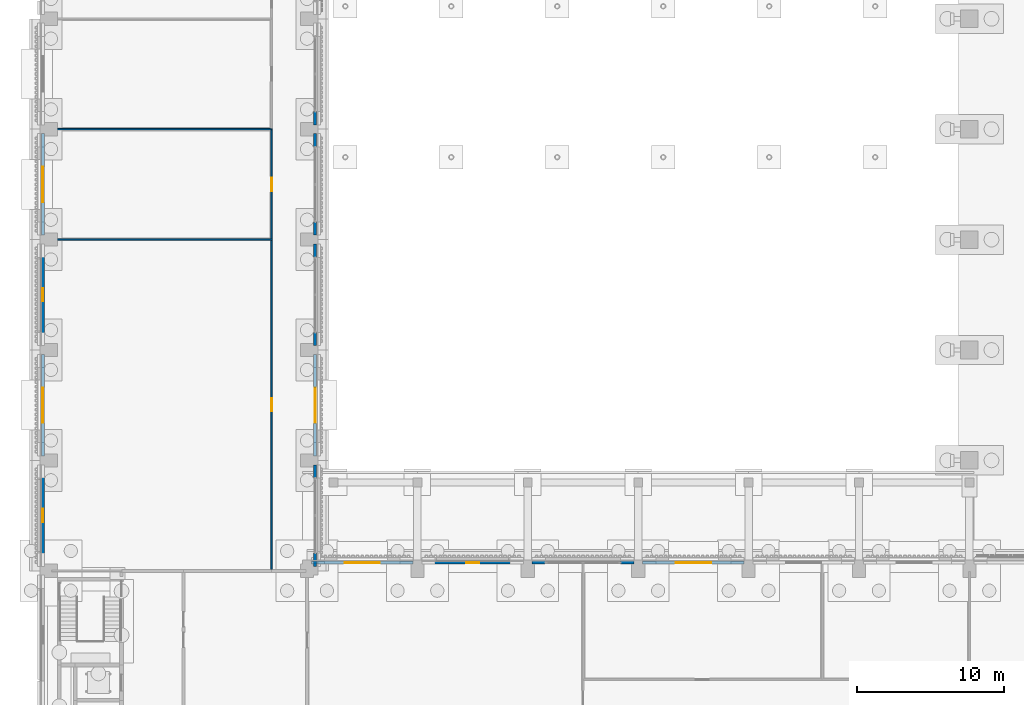
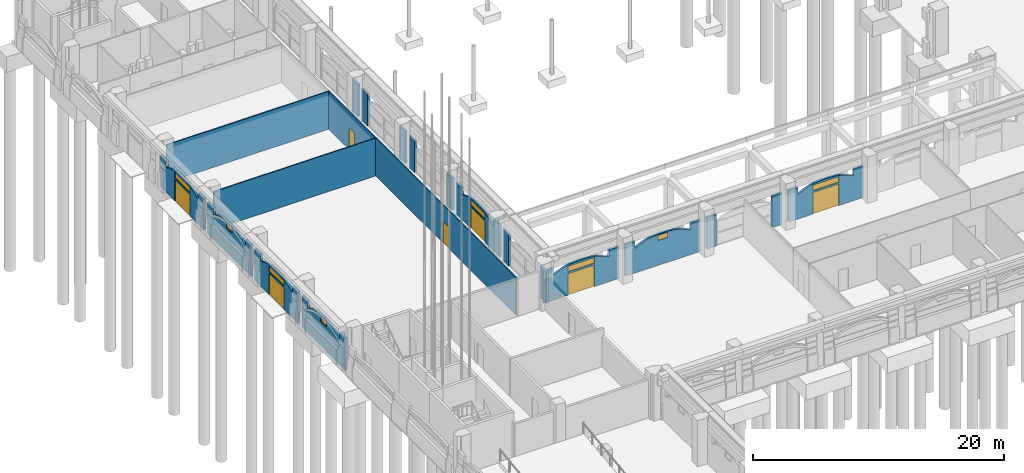
# One storey, part 37 of 99: 21 walls, 8 windows, 7 doors, 15 openings.
"""IFC4 building model written with IfcOpenShell, lengths in metres."""

from ifc_helpers import new_model, si_unit, direction, frame, frame_2d, origin, place, context, subcontext, project, spatial, polyline, rectangle, outline, extrude, material, layer, layer_set, type_object, element, fill, save


model = new_model("IFC4")

# Units and contexts
model_context = context("Model", 3, precision=1e-05, world=origin(), true_north=direction((0.0, 1.0)))
body_context = subcontext(model_context, "Body", "Model", "MODEL_VIEW")
ifc_project = project(units=[si_unit("LENGTHUNIT", "METRE"), si_unit("AREAUNIT", "SQUARE_METRE"), si_unit("VOLUMEUNIT", "CUBIC_METRE"), si_unit("PLANEANGLEUNIT", "RADIAN"), si_unit("MASSUNIT", "GRAM", prefix="KILO")], contexts=[model_context])

# Site, building, storey
site_placement = place(None, origin())
site = spatial("IfcSite", under=ifc_project, at=site_placement, CompositionType="ELEMENT")
building_placement = place(site_placement, origin())
building = spatial("IfcBuilding", under=site, at=building_placement, Name="Cour d'Honneur Mobility Palace", CompositionType="ELEMENT")
storey_placement = place(building_placement, origin())
storey = spatial("IfcBuildingStorey", under=building, at=storey_placement, Name="L00", CompositionType="ELEMENT", Elevation=0.0)

# Wall, openings, door, window
ifc_material_1 = material(Name="Concrete C40", Category="concrete")
ifc_layer_1 = layer(ifc_material_1, 0.199951171875)
ifc_layer_set_1 = layer_set([ifc_layer_1], Name="Concrete C40")
wall_type_1 = type_object("IfcWallType", Name="Arch infill panel", PredefinedType="SOLIDWALL", material=ifc_layer_set_1)
wall_1_placement = place(storey_placement, frame((47.10009765625, 62.949951171875, 0.0), z_axis=(0.0, 0.0, 1.0), x_axis=(-1.0, 0.0, 0.0)))
wall_1 = element("IfcWall", 1, at=wall_1_placement, inside=storey, type_object=wall_type_1, Name="Arch infill panel IP-77", PredefinedType="SOLIDWALL", context=body_context, shape_type="SweptSolid", body=[
    extrude(outline(polyline([(0.0, 0.0), (6.900146484375, 0.0), (6.89990234375, 3.10009765625), (6.001953125, 3.10009765625), (6.0, 2.39990234375), (5.68115234375, 2.560302734375), (5.362548828125, 2.69482421875), (5.043701171875, 2.805908203125), (4.72509765625, 2.895263671875), (4.40625, 2.96337890625), (4.08740234375, 3.01171875), (3.768798828125, 3.04052734375), (3.449951171875, 3.050048828125), (3.13134765625, 3.04052734375), (2.8125, 3.01171875), (2.49365234375, 2.96337890625), (2.175048828125, 2.895263671875), (1.856201171875, 2.805908203125), (1.53759765625, 2.69482421875), (1.21875, 2.560302734375), (0.89990234375, 2.39990234375), (0.89794921875, 3.10009765625), (0.0, 3.10009765625), (0.0, 0.0)])), frame((0.0, 0.10009765625, 0.0), z_axis=(0.0, -1.0, 0.0), x_axis=(1.0, 0.0, 0.0)), (0.0, 0.0, 1.0), 0.199951171875),
])
opening_1_placement = place(wall_1_placement, frame((2.25, 0.0, 0.0)))
opening_1 = element("IfcOpeningElement", 2, at=opening_1_placement, cuts=wall_1, Name="Opening D1-5", PredefinedType="OPENING", context=body_context, shape_type="SweptSolid", body=[
    extrude(rectangle(XDim=2.39990234375, YDim=2.10009765625, at=frame_2d((1.199951171875, 1.050048828125))), frame((0.0, 0.10986328125, 0.0), z_axis=(0.0, -1.0, 0.0), x_axis=(1.0, 0.0, 0.0)), (0.0, 0.0, 1.0), 0.219970703125),
])
opening_2_placement = place(wall_1_placement, frame((2.25, 0.0, 2.25)))
opening_2 = element("IfcOpeningElement", 3, at=opening_2_placement, cuts=wall_1, Name="Opening WO-10", PredefinedType="OPENING", context=body_context, shape_type="SweptSolid", body=[
    extrude(rectangle(XDim=2.39990234375, YDim=0.56298828125, at=frame_2d((1.199951171875, 0.281494140625))), frame((0.0, 0.10986328125, 0.0), z_axis=(0.0, -1.0, 0.0), x_axis=(1.0, 0.0, 0.0)), (0.0, 0.0, 1.0), 0.219970703125),
])
ifc_material_2 = material(Name="Aluminium frame and glass", Category="aluminium")
door_type_1 = type_object("IfcDoorType", Name="Entrance double door 2400", OperationType="DOUBLE_DOOR_SINGLE_SWING", PredefinedType="DOOR", material=ifc_material_2)
door_1_placement = place(opening_1_placement, frame((2.39990234375, 0.0, 0.0), z_axis=(0.0, 0.0, 1.0), x_axis=(-1.0, 0.0, 0.0)))
door_1 = element("IfcDoor", 4, at=door_1_placement, inside=storey, type_object=door_type_1, Name="Entrance double door 2400 D1-5", OperationType="SINGLE_SWING_LEFT", OverallHeight=2.10009765625, OverallWidth=2.39990234375, PredefinedType="DOOR", context=body_context, shape_type="SweptSolid", body=[
    extrude(rectangle(XDim=2.39990234375, YDim=2.10009765625, at=frame_2d((1.199951171875, 1.050048828125))), frame((0.0, 0.02490234375, 0.0), z_axis=(0.0, -1.0, 0.0), x_axis=(1.0, 0.0, 0.0)), (0.0, 0.0, 1.0), 0.050048828125),
])
fill(opening_1, door_1)
ifc_material_3 = material(Name="Aluminium frame and glass", Category="aluminium")
window_type_1 = type_object("IfcWindowType", Name="Overlight", PartitioningType="SINGLE_PANEL", PredefinedType="WINDOW", material=ifc_material_3)
window_1_placement = place(opening_2_placement, origin())
window_1 = element("IfcWindow", 5, at=window_1_placement, inside=storey, type_object=window_type_1, Name="Overlight WO-10", OverallHeight=0.56298828125, OverallWidth=2.39990234375, PartitioningType="SINGLE_PANEL", PredefinedType="WINDOW", context=body_context, shape_type="SweptSolid", body=[
    extrude(rectangle(XDim=2.39990234375, YDim=0.56298828125, at=frame_2d((1.199951171875, 0.281494140625))), frame((0.0, 0.030029296875, 0.0), z_axis=(0.0, -1.0, 0.0), x_axis=(1.0, 0.0, 0.0)), (0.0, 0.0, 1.0), 0.06005859375),
])
fill(opening_2, window_1)

# Walls
for number, where, z_axis, x_axis, name in (
    (6, (39.60009765625, 62.949951171875, 0.0), (0.0, 0.0, 1.0), (-1.0, 0.0, 0.0), "Arch infill panel IP-78"),
    (7, (33.60009765625, 62.949951171875, 0.0), (0.0, 0.0, 1.0), (-1.0, 0.0, 0.0), "Arch infill panel IP-79"),
):
    element("IfcWall", number, at=place(storey_placement, frame(where, z_axis=z_axis, x_axis=x_axis)), inside=storey, type_object=wall_type_1, Name=name, PredefinedType="SOLIDWALL", context=body_context, shape_type="SweptSolid", body=[
        extrude(rectangle(XDim=0.900146484375, YDim=0.199951171875, at=frame_2d((0.4501953125, 0.0))), origin(), (0.0, 0.0, 1.0), 3.10009765625),
    ])

# Wall, opening, window
wall_2_placement = place(storey_placement, frame((32.10009765625, 62.949951171875, 0.0), z_axis=(0.0, 0.0, 1.0), x_axis=(-1.0, 0.0, 0.0)))
wall_2 = element("IfcWall", 8, at=wall_2_placement, inside=storey, type_object=wall_type_1, Name="Arch infill panel IP-80", PredefinedType="SOLIDWALL", context=body_context, shape_type="SweptSolid", body=[
    extrude(outline(polyline([(0.0, 0.0), (6.900146484375, 0.0), (6.89990234375, 3.10009765625), (6.001953125, 3.10009765625), (6.0, 2.39990234375), (5.68115234375, 2.560302734375), (5.362548828125, 2.69482421875), (5.043701171875, 2.805908203125), (4.72509765625, 2.895263671875), (4.40625, 2.96337890625), (4.08740234375, 3.01171875), (3.768798828125, 3.04052734375), (3.449951171875, 3.050048828125), (3.13134765625, 3.04052734375), (2.8125, 3.01171875), (2.49365234375, 2.96337890625), (2.175048828125, 2.895263671875), (1.856201171875, 2.805908203125), (1.53759765625, 2.69482421875), (1.21875, 2.560302734375), (0.89990234375, 2.39990234375), (0.89794921875, 3.10009765625), (0.0, 3.10009765625), (0.0, 0.0)])), frame((0.0, 0.10009765625, 0.0), z_axis=(0.0, -1.0, 0.0), x_axis=(1.0, 0.0, 0.0)), (0.0, 0.0, 1.0), 0.199951171875),
])
opening_3_placement = place(wall_2_placement, frame((3.0, 0.0, 2.39990234375)))
opening_3 = element("IfcOpeningElement", 9, at=opening_3_placement, cuts=wall_2, Name="Opening WH-35", PredefinedType="OPENING", context=body_context, shape_type="SweptSolid", body=[
    extrude(rectangle(XDim=0.89990234375, YDim=0.531005859375, at=frame_2d((0.449951171875, 0.265625))), frame((0.0, 0.10986328125, 0.0), z_axis=(0.0, -1.0, 0.0), x_axis=(1.0, 0.0, 0.0)), (0.0, 0.0, 1.0), 0.219970703125),
])
ifc_material_4 = material(Name="Aluminium frame and glass", Category="aluminium")
window_type_2 = type_object("IfcWindowType", Name="High-level window 531", PartitioningType="SINGLE_PANEL", PredefinedType="WINDOW", material=ifc_material_4)
window_2_placement = place(opening_3_placement, origin())
window_2 = element("IfcWindow", 10, at=window_2_placement, inside=storey, type_object=window_type_2, Name="High-level window 531 WH-35", OverallHeight=0.531005859375, OverallWidth=0.89990234375, PartitioningType="SINGLE_PANEL", PredefinedType="WINDOW", context=body_context, shape_type="SweptSolid", body=[
    extrude(rectangle(XDim=0.89990234375, YDim=0.531005859375, at=frame_2d((0.449951171875, 0.265625))), frame((0.0, 0.030029296875, 0.0), z_axis=(0.0, -1.0, 0.0), x_axis=(1.0, 0.0, 0.0)), (0.0, 0.0, 1.0), 0.06005859375),
])
fill(opening_3, window_2)

# Wall, openings, door, window
wall_3_placement = place(storey_placement, frame((24.60009765625, 62.949951171875, 0.0), z_axis=(0.0, 0.0, 1.0), x_axis=(-1.0, 0.0, 0.0)))
wall_3 = element("IfcWall", 11, at=wall_3_placement, inside=storey, type_object=wall_type_1, Name="Arch infill panel IP-81", PredefinedType="SOLIDWALL", context=body_context, shape_type="SweptSolid", body=[
    extrude(outline(polyline([(0.0, 0.0), (6.900146484375, 0.0), (6.89990234375, 3.10009765625), (6.001953125, 3.10009765625), (6.0, 2.39990234375), (5.68115234375, 2.560302734375), (5.362548828125, 2.69482421875), (5.043701171875, 2.805908203125), (4.72509765625, 2.895263671875), (4.40625, 2.96337890625), (4.08740234375, 3.01171875), (3.768798828125, 3.04052734375), (3.449951171875, 3.050048828125), (3.13134765625, 3.04052734375), (2.8125, 3.01171875), (2.49365234375, 2.96337890625), (2.175048828125, 2.895263671875), (1.856201171875, 2.805908203125), (1.53759765625, 2.69482421875), (1.21875, 2.560302734375), (0.89990234375, 2.39990234375), (0.89794921875, 3.10009765625), (0.0, 3.10009765625), (0.0, 0.0)])), frame((0.0, 0.10009765625, 0.0), z_axis=(0.0, -1.0, 0.0), x_axis=(1.0, 0.0, 0.0)), (0.0, 0.0, 1.0), 0.199951171875),
])
opening_4_placement = place(wall_3_placement, frame((2.25, 0.0, 0.0)))
opening_4 = element("IfcOpeningElement", 12, at=opening_4_placement, cuts=wall_3, Name="Opening D1-6", PredefinedType="OPENING", context=body_context, shape_type="SweptSolid", body=[
    extrude(rectangle(XDim=2.39990234375, YDim=2.10009765625, at=frame_2d((1.199951171875, 1.050048828125))), frame((0.0, 0.10986328125, 0.0), z_axis=(0.0, -1.0, 0.0), x_axis=(1.0, 0.0, 0.0)), (0.0, 0.0, 1.0), 0.219970703125),
])
opening_5_placement = place(wall_3_placement, frame((2.25, 0.0, 2.25)))
opening_5 = element("IfcOpeningElement", 13, at=opening_5_placement, cuts=wall_3, Name="Opening WO-11", PredefinedType="OPENING", context=body_context, shape_type="SweptSolid", body=[
    extrude(rectangle(XDim=2.39990234375, YDim=0.56298828125, at=frame_2d((1.199951171875, 0.281494140625))), frame((0.0, 0.10986328125, 0.0), z_axis=(0.0, -1.0, 0.0), x_axis=(1.0, 0.0, 0.0)), (0.0, 0.0, 1.0), 0.219970703125),
])
door_2_placement = place(opening_4_placement, frame((2.39990234375, 0.0, 0.0), z_axis=(0.0, 0.0, 1.0), x_axis=(-1.0, 0.0, 0.0)))
door_2 = element("IfcDoor", 14, at=door_2_placement, inside=storey, type_object=door_type_1, Name="Entrance double door 2400 D1-6", OperationType="SINGLE_SWING_LEFT", OverallHeight=2.10009765625, OverallWidth=2.39990234375, PredefinedType="DOOR", context=body_context, shape_type="SweptSolid", body=[
    extrude(rectangle(XDim=2.39990234375, YDim=2.10009765625, at=frame_2d((1.199951171875, 1.050048828125))), frame((0.0, 0.02490234375, 0.0), z_axis=(0.0, -1.0, 0.0), x_axis=(1.0, 0.0, 0.0)), (0.0, 0.0, 1.0), 0.050048828125),
])
fill(opening_4, door_2)
window_3_placement = place(opening_5_placement, origin())
window_3 = element("IfcWindow", 15, at=window_3_placement, inside=storey, type_object=window_type_1, Name="Overlight WO-11", OverallHeight=0.56298828125, OverallWidth=2.39990234375, PartitioningType="SINGLE_PANEL", PredefinedType="WINDOW", context=body_context, shape_type="SweptSolid", body=[
    extrude(rectangle(XDim=2.39990234375, YDim=0.56298828125, at=frame_2d((1.199951171875, 0.281494140625))), frame((0.0, 0.030029296875, 0.0), z_axis=(0.0, -1.0, 0.0), x_axis=(1.0, 0.0, 0.0)), (0.0, 0.0, 1.0), 0.06005859375),
])
fill(opening_5, window_3)

# Walls
for number, where, z_axis, x_axis, name in (
    (16, (17.949951171875, 62.699951171875, 0.0), (0.0, 0.0, 1.0), (0.0, 1.0, 0.0), "Arch infill panel IP-82"),
    (17, (17.949951171875, 68.699951171875, 0.0), (0.0, 0.0, 1.0), (0.0, 1.0, 0.0), "Arch infill panel IP-83"),
):
    element("IfcWall", number, at=place(storey_placement, frame(where, z_axis=z_axis, x_axis=x_axis)), inside=storey, type_object=wall_type_1, Name=name, PredefinedType="SOLIDWALL", context=body_context, shape_type="SweptSolid", body=[
        extrude(rectangle(XDim=0.900146484375, YDim=0.199951171875, at=frame_2d((0.4501953125, 0.0))), origin(), (0.0, 0.0, 1.0), 3.10009765625),
    ])

# Wall, openings, door, window
wall_4_placement = place(storey_placement, frame((17.949951171875, 70.199951171875, 0.0), z_axis=(0.0, 0.0, 1.0), x_axis=(0.0, 1.0, 0.0)))
wall_4 = element("IfcWall", 18, at=wall_4_placement, inside=storey, type_object=wall_type_1, Name="Arch infill panel IP-84", PredefinedType="SOLIDWALL", context=body_context, shape_type="SweptSolid", body=[
    extrude(outline(polyline([(0.0, 0.0), (6.900146484375, 0.0), (6.89990234375, 3.10009765625), (6.001953125, 3.10009765625), (6.0, 2.39990234375), (5.68115234375, 2.560302734375), (5.362548828125, 2.69482421875), (5.043701171875, 2.805908203125), (4.72509765625, 2.895263671875), (4.40625, 2.96337890625), (4.08740234375, 3.01171875), (3.768798828125, 3.04052734375), (3.449951171875, 3.050048828125), (3.13134765625, 3.04052734375), (2.8125, 3.01171875), (2.49365234375, 2.96337890625), (2.175048828125, 2.895263671875), (1.856201171875, 2.805908203125), (1.53759765625, 2.69482421875), (1.21875, 2.560302734375), (0.89990234375, 2.39990234375), (0.89794921875, 3.10009765625), (0.0, 3.10009765625), (0.0, 0.0)])), frame((0.0, 0.10009765625, 0.0), z_axis=(0.0, -1.0, 0.0), x_axis=(1.0, 0.0, 0.0)), (0.0, 0.0, 1.0), 0.199951171875),
])
opening_6_placement = place(wall_4_placement, frame((2.25, 0.0, 0.0)))
opening_6 = element("IfcOpeningElement", 19, at=opening_6_placement, cuts=wall_4, Name="Opening D1-7", PredefinedType="OPENING", context=body_context, shape_type="SweptSolid", body=[
    extrude(rectangle(XDim=2.39990234375, YDim=2.10009765625, at=frame_2d((1.199951171875, 1.050048828125))), frame((0.0, 0.10986328125, 0.0), z_axis=(0.0, -1.0, 0.0), x_axis=(1.0, 0.0, 0.0)), (0.0, 0.0, 1.0), 0.219970703125),
])
opening_7_placement = place(wall_4_placement, frame((2.25, 0.0, 2.25)))
opening_7 = element("IfcOpeningElement", 20, at=opening_7_placement, cuts=wall_4, Name="Opening WO-12", PredefinedType="OPENING", context=body_context, shape_type="SweptSolid", body=[
    extrude(rectangle(XDim=2.39990234375, YDim=0.56298828125, at=frame_2d((1.199951171875, 0.281494140625))), frame((0.0, 0.10986328125, 0.0), z_axis=(0.0, -1.0, 0.0), x_axis=(1.0, 0.0, 0.0)), (0.0, 0.0, 1.0), 0.219970703125),
])
door_3_placement = place(opening_6_placement, frame((2.39990234375, 0.0, 0.0), z_axis=(0.0, 0.0, 1.0), x_axis=(-1.0, 0.0, 0.0)))
door_3 = element("IfcDoor", 21, at=door_3_placement, inside=storey, type_object=door_type_1, Name="Entrance double door 2400 D1-7", OperationType="SINGLE_SWING_LEFT", OverallHeight=2.10009765625, OverallWidth=2.39990234375, PredefinedType="DOOR", context=body_context, shape_type="SweptSolid", body=[
    extrude(rectangle(XDim=2.39990234375, YDim=2.10009765625, at=frame_2d((1.199951171875, 1.050048828125))), frame((0.0, 0.02490234375, 0.0), z_axis=(0.0, -1.0, 0.0), x_axis=(1.0, 0.0, 0.0)), (0.0, 0.0, 1.0), 0.050048828125),
])
fill(opening_6, door_3)
window_4_placement = place(opening_7_placement, origin())
window_4 = element("IfcWindow", 22, at=window_4_placement, inside=storey, type_object=window_type_1, Name="Overlight WO-12", OverallHeight=0.56298828125, OverallWidth=2.39990234375, PartitioningType="SINGLE_PANEL", PredefinedType="WINDOW", context=body_context, shape_type="SweptSolid", body=[
    extrude(rectangle(XDim=2.39990234375, YDim=0.56298828125, at=frame_2d((1.199951171875, 0.281494140625))), frame((0.0, 0.030029296875, 0.0), z_axis=(0.0, -1.0, 0.0), x_axis=(1.0, 0.0, 0.0)), (0.0, 0.0, 1.0), 0.06005859375),
])
fill(opening_7, window_4)

# Walls
for number, where, z_axis, x_axis, name in (
    (23, (17.949951171875, 77.699951171875, 0.0), (0.0, 0.0, 1.0), (0.0, 1.0, 0.0), "Arch infill panel IP-85"),
    (24, (17.949951171875, 83.699951171875, 0.0), (0.0, 0.0, 1.0), (0.0, 1.0, 0.0), "Arch infill panel IP-86"),
    (25, (17.949951171875, 85.199951171875, 0.0), (0.0, 0.0, 1.0), (0.0, 1.0, 0.0), "Arch infill panel IP-87"),
    (26, (17.949951171875, 91.199951171875, 0.0), (0.0, 0.0, 1.0), (0.0, 1.0, 0.0), "Arch infill panel IP-88"),
    (27, (17.949951171875, 92.699951171875, 0.0), (0.0, 0.0, 1.0), (0.0, 1.0, 0.0), "Arch infill panel IP-89"),
):
    element("IfcWall", number, at=place(storey_placement, frame(where, z_axis=z_axis, x_axis=x_axis)), inside=storey, type_object=wall_type_1, Name=name, PredefinedType="SOLIDWALL", context=body_context, shape_type="SweptSolid", body=[
        extrude(rectangle(XDim=0.900146484375, YDim=0.199951171875, at=frame_2d((0.4501953125, 0.0))), origin(), (0.0, 0.0, 1.0), 3.10009765625),
    ])

# Wall, openings, door, window
wall_5_placement = place(storey_placement, frame((-0.550048828125, 92.10009765625, 0.0), z_axis=(0.0, 0.0, 1.0), x_axis=(0.0, -1.0, 0.0)))
wall_5 = element("IfcWall", 28, at=wall_5_placement, inside=storey, type_object=wall_type_1, Name="Arch infill panel IP-100", PredefinedType="SOLIDWALL", context=body_context, shape_type="SweptSolid", body=[
    extrude(outline(polyline([(0.0, 0.0), (6.900146484375, 0.0), (6.89990234375, 3.10009765625), (6.001953125, 3.10009765625), (6.0, 2.39990234375), (5.68115234375, 2.560302734375), (5.362548828125, 2.69482421875), (5.043701171875, 2.805908203125), (4.72509765625, 2.895263671875), (4.40625, 2.96337890625), (4.08740234375, 3.01171875), (3.768798828125, 3.04052734375), (3.449951171875, 3.050048828125), (3.13134765625, 3.04052734375), (2.8125, 3.01171875), (2.49365234375, 2.96337890625), (2.175048828125, 2.895263671875), (1.856201171875, 2.805908203125), (1.53759765625, 2.69482421875), (1.21875, 2.560302734375), (0.89990234375, 2.39990234375), (0.89794921875, 3.10009765625), (0.0, 3.10009765625), (0.0, 0.0)])), frame((0.0, 0.10009765625, 0.0), z_axis=(0.0, -1.0, 0.0), x_axis=(1.0, 0.0, 0.0)), (0.0, 0.0, 1.0), 0.199951171875),
])
opening_8_placement = place(wall_5_placement, frame((2.25, 0.0, 0.0)))
opening_8 = element("IfcOpeningElement", 29, at=opening_8_placement, cuts=wall_5, Name="Opening D1-9", PredefinedType="OPENING", context=body_context, shape_type="SweptSolid", body=[
    extrude(rectangle(XDim=2.39990234375, YDim=2.10009765625, at=frame_2d((1.199951171875, 1.050048828125))), frame((0.0, 0.10986328125, 0.0), z_axis=(0.0, -1.0, 0.0), x_axis=(1.0, 0.0, 0.0)), (0.0, 0.0, 1.0), 0.219970703125),
])
opening_9_placement = place(wall_5_placement, frame((2.25, 0.0, 2.25)))
opening_9 = element("IfcOpeningElement", 30, at=opening_9_placement, cuts=wall_5, Name="Opening WO-14", PredefinedType="OPENING", context=body_context, shape_type="SweptSolid", body=[
    extrude(rectangle(XDim=2.39990234375, YDim=0.56298828125, at=frame_2d((1.199951171875, 0.281494140625))), frame((0.0, 0.10986328125, 0.0), z_axis=(0.0, -1.0, 0.0), x_axis=(1.0, 0.0, 0.0)), (0.0, 0.0, 1.0), 0.219970703125),
])
door_4_placement = place(opening_8_placement, frame((2.39990234375, 0.0, 0.0), z_axis=(0.0, 0.0, 1.0), x_axis=(-1.0, 0.0, 0.0)))
door_4 = element("IfcDoor", 31, at=door_4_placement, inside=storey, type_object=door_type_1, Name="Entrance double door 2400 D1-9", OperationType="SINGLE_SWING_LEFT", OverallHeight=2.10009765625, OverallWidth=2.39990234375, PredefinedType="DOOR", context=body_context, shape_type="SweptSolid", body=[
    extrude(rectangle(XDim=2.39990234375, YDim=2.10009765625, at=frame_2d((1.199951171875, 1.050048828125))), frame((0.0, 0.02490234375, 0.0), z_axis=(0.0, -1.0, 0.0), x_axis=(1.0, 0.0, 0.0)), (0.0, 0.0, 1.0), 0.050048828125),
])
fill(opening_8, door_4)
window_5_placement = place(opening_9_placement, origin())
window_5 = element("IfcWindow", 32, at=window_5_placement, inside=storey, type_object=window_type_1, Name="Overlight WO-14", OverallHeight=0.56298828125, OverallWidth=2.39990234375, PartitioningType="SINGLE_PANEL", PredefinedType="WINDOW", context=body_context, shape_type="SweptSolid", body=[
    extrude(rectangle(XDim=2.39990234375, YDim=0.56298828125, at=frame_2d((1.199951171875, 0.281494140625))), frame((0.0, 0.030029296875, 0.0), z_axis=(0.0, -1.0, 0.0), x_axis=(1.0, 0.0, 0.0)), (0.0, 0.0, 1.0), 0.06005859375),
])
fill(opening_9, window_5)

# Wall, opening, window
wall_6_placement = place(storey_placement, frame((-0.550048828125, 84.60009765625, 0.0), z_axis=(0.0, 0.0, 1.0), x_axis=(0.0, -1.0, 0.0)))
wall_6 = element("IfcWall", 33, at=wall_6_placement, inside=storey, type_object=wall_type_1, Name="Arch infill panel IP-101", PredefinedType="SOLIDWALL", context=body_context, shape_type="SweptSolid", body=[
    extrude(outline(polyline([(0.0, 0.0), (6.900146484375, 0.0), (6.89990234375, 3.10009765625), (6.001953125, 3.10009765625), (6.0, 2.39990234375), (5.68115234375, 2.560302734375), (5.362548828125, 2.69482421875), (5.043701171875, 2.805908203125), (4.72509765625, 2.895263671875), (4.40625, 2.96337890625), (4.08740234375, 3.01171875), (3.768798828125, 3.04052734375), (3.449951171875, 3.050048828125), (3.13134765625, 3.04052734375), (2.8125, 3.01171875), (2.49365234375, 2.96337890625), (2.175048828125, 2.895263671875), (1.856201171875, 2.805908203125), (1.53759765625, 2.69482421875), (1.21875, 2.560302734375), (0.89990234375, 2.39990234375), (0.89794921875, 3.10009765625), (0.0, 3.10009765625), (0.0, 0.0)])), frame((0.0, 0.10009765625, 0.0), z_axis=(0.0, -1.0, 0.0), x_axis=(1.0, 0.0, 0.0)), (0.0, 0.0, 1.0), 0.199951171875),
])
opening_10_placement = place(wall_6_placement, frame((3.0, 0.0, 2.39990234375)))
opening_10 = element("IfcOpeningElement", 34, at=opening_10_placement, cuts=wall_6, Name="Opening WH-37", PredefinedType="OPENING", context=body_context, shape_type="SweptSolid", body=[
    extrude(rectangle(XDim=0.89990234375, YDim=0.531005859375, at=frame_2d((0.449951171875, 0.265625))), frame((0.0, 0.10986328125, 0.0), z_axis=(0.0, -1.0, 0.0), x_axis=(1.0, 0.0, 0.0)), (0.0, 0.0, 1.0), 0.219970703125),
])
window_6_placement = place(opening_10_placement, origin())
window_6 = element("IfcWindow", 35, at=window_6_placement, inside=storey, type_object=window_type_2, Name="High-level window 531 WH-37", OverallHeight=0.531005859375, OverallWidth=0.89990234375, PartitioningType="SINGLE_PANEL", PredefinedType="WINDOW", context=body_context, shape_type="SweptSolid", body=[
    extrude(rectangle(XDim=0.89990234375, YDim=0.531005859375, at=frame_2d((0.449951171875, 0.265625))), frame((0.0, 0.030029296875, 0.0), z_axis=(0.0, -1.0, 0.0), x_axis=(1.0, 0.0, 0.0)), (0.0, 0.0, 1.0), 0.06005859375),
])
fill(opening_10, window_6)

# Wall, openings, door, window
wall_7_placement = place(storey_placement, frame((-0.550048828125, 77.10009765625, 0.0), z_axis=(0.0, 0.0, 1.0), x_axis=(0.0, -1.0, 0.0)))
wall_7 = element("IfcWall", 36, at=wall_7_placement, inside=storey, type_object=wall_type_1, Name="Arch infill panel IP-102", PredefinedType="SOLIDWALL", context=body_context, shape_type="SweptSolid", body=[
    extrude(outline(polyline([(0.0, 0.0), (6.900146484375, 0.0), (6.89990234375, 3.10009765625), (6.001953125, 3.10009765625), (6.0, 2.39990234375), (5.68115234375, 2.560302734375), (5.362548828125, 2.69482421875), (5.043701171875, 2.805908203125), (4.72509765625, 2.895263671875), (4.40625, 2.96337890625), (4.08740234375, 3.01171875), (3.768798828125, 3.04052734375), (3.449951171875, 3.050048828125), (3.13134765625, 3.04052734375), (2.8125, 3.01171875), (2.49365234375, 2.96337890625), (2.175048828125, 2.895263671875), (1.856201171875, 2.805908203125), (1.53759765625, 2.69482421875), (1.21875, 2.560302734375), (0.89990234375, 2.39990234375), (0.89794921875, 3.10009765625), (0.0, 3.10009765625), (0.0, 0.0)])), frame((0.0, 0.10009765625, 0.0), z_axis=(0.0, -1.0, 0.0), x_axis=(1.0, 0.0, 0.0)), (0.0, 0.0, 1.0), 0.199951171875),
])
opening_11_placement = place(wall_7_placement, frame((2.25, 0.0, 0.0)))
opening_11 = element("IfcOpeningElement", 37, at=opening_11_placement, cuts=wall_7, Name="Opening D1-10", PredefinedType="OPENING", context=body_context, shape_type="SweptSolid", body=[
    extrude(rectangle(XDim=2.39990234375, YDim=2.10009765625, at=frame_2d((1.199951171875, 1.050048828125))), frame((0.0, 0.10986328125, 0.0), z_axis=(0.0, -1.0, 0.0), x_axis=(1.0, 0.0, 0.0)), (0.0, 0.0, 1.0), 0.219970703125),
])
opening_12_placement = place(wall_7_placement, frame((2.25, 0.0, 2.25)))
opening_12 = element("IfcOpeningElement", 38, at=opening_12_placement, cuts=wall_7, Name="Opening WO-15", PredefinedType="OPENING", context=body_context, shape_type="SweptSolid", body=[
    extrude(rectangle(XDim=2.39990234375, YDim=0.56298828125, at=frame_2d((1.199951171875, 0.281494140625))), frame((0.0, 0.10986328125, 0.0), z_axis=(0.0, -1.0, 0.0), x_axis=(1.0, 0.0, 0.0)), (0.0, 0.0, 1.0), 0.219970703125),
])
door_5_placement = place(opening_11_placement, frame((2.39990234375, 0.0, 0.0), z_axis=(0.0, 0.0, 1.0), x_axis=(-1.0, 0.0, 0.0)))
door_5 = element("IfcDoor", 39, at=door_5_placement, inside=storey, type_object=door_type_1, Name="Entrance double door 2400 D1-10", OperationType="SINGLE_SWING_LEFT", OverallHeight=2.10009765625, OverallWidth=2.39990234375, PredefinedType="DOOR", context=body_context, shape_type="SweptSolid", body=[
    extrude(rectangle(XDim=2.39990234375, YDim=2.10009765625, at=frame_2d((1.199951171875, 1.050048828125))), frame((0.0, 0.02490234375, 0.0), z_axis=(0.0, -1.0, 0.0), x_axis=(1.0, 0.0, 0.0)), (0.0, 0.0, 1.0), 0.050048828125),
])
fill(opening_11, door_5)
window_7_placement = place(opening_12_placement, origin())
window_7 = element("IfcWindow", 40, at=window_7_placement, inside=storey, type_object=window_type_1, Name="Overlight WO-15", OverallHeight=0.56298828125, OverallWidth=2.39990234375, PartitioningType="SINGLE_PANEL", PredefinedType="WINDOW", context=body_context, shape_type="SweptSolid", body=[
    extrude(rectangle(XDim=2.39990234375, YDim=0.56298828125, at=frame_2d((1.199951171875, 0.281494140625))), frame((0.0, 0.030029296875, 0.0), z_axis=(0.0, -1.0, 0.0), x_axis=(1.0, 0.0, 0.0)), (0.0, 0.0, 1.0), 0.06005859375),
])
fill(opening_12, window_7)

# Wall, opening, window
wall_8_placement = place(storey_placement, frame((-0.550048828125, 69.60009765625, 0.0), z_axis=(0.0, 0.0, 1.0), x_axis=(0.0, -1.0, 0.0)))
wall_8 = element("IfcWall", 41, at=wall_8_placement, inside=storey, type_object=wall_type_1, Name="Arch infill panel IP-103", PredefinedType="SOLIDWALL", context=body_context, shape_type="SweptSolid", body=[
    extrude(outline(polyline([(0.0, 0.0), (6.900146484375, 0.0), (6.89990234375, 3.10009765625), (6.001953125, 3.10009765625), (6.0, 2.39990234375), (5.68115234375, 2.560302734375), (5.362548828125, 2.69482421875), (5.043701171875, 2.805908203125), (4.72509765625, 2.895263671875), (4.40625, 2.96337890625), (4.08740234375, 3.01171875), (3.768798828125, 3.04052734375), (3.449951171875, 3.050048828125), (3.13134765625, 3.04052734375), (2.8125, 3.01171875), (2.49365234375, 2.96337890625), (2.175048828125, 2.895263671875), (1.856201171875, 2.805908203125), (1.53759765625, 2.69482421875), (1.21875, 2.560302734375), (0.89990234375, 2.39990234375), (0.89794921875, 3.10009765625), (0.0, 3.10009765625), (0.0, 0.0)])), frame((0.0, 0.10009765625, 0.0), z_axis=(0.0, -1.0, 0.0), x_axis=(1.0, 0.0, 0.0)), (0.0, 0.0, 1.0), 0.199951171875),
])
opening_13_placement = place(wall_8_placement, frame((3.0, 0.0, 2.39990234375)))
opening_13 = element("IfcOpeningElement", 42, at=opening_13_placement, cuts=wall_8, Name="Opening WH-38", PredefinedType="OPENING", context=body_context, shape_type="SweptSolid", body=[
    extrude(rectangle(XDim=0.89990234375, YDim=0.531005859375, at=frame_2d((0.449951171875, 0.265625))), frame((0.0, 0.10986328125, 0.0), z_axis=(0.0, -1.0, 0.0), x_axis=(1.0, 0.0, 0.0)), (0.0, 0.0, 1.0), 0.219970703125),
])
window_8_placement = place(opening_13_placement, origin())
window_8 = element("IfcWindow", 43, at=window_8_placement, inside=storey, type_object=window_type_2, Name="High-level window 531 WH-38", OverallHeight=0.531005859375, OverallWidth=0.89990234375, PartitioningType="SINGLE_PANEL", PredefinedType="WINDOW", context=body_context, shape_type="SweptSolid", body=[
    extrude(rectangle(XDim=0.89990234375, YDim=0.531005859375, at=frame_2d((0.449951171875, 0.265625))), frame((0.0, 0.030029296875, 0.0), z_axis=(0.0, -1.0, 0.0), x_axis=(1.0, 0.0, 0.0)), (0.0, 0.0, 1.0), 0.06005859375),
])
fill(opening_13, window_8)

# Wall, opening, door
ifc_material_5 = material(Name="Gypsum plasterboard")
ifc_layer_2 = layer(ifc_material_5, 0.10009765625)
ifc_layer_set_2 = layer_set([ifc_layer_2], Name="Gypsum plasterboard")
wall_type_2 = type_object("IfcWallType", Name="Partition 100", PredefinedType="PARTITIONING", material=ifc_layer_set_2)
wall_9_placement = place(storey_placement, frame((15.0, 62.5, 0.0), z_axis=(0.0, 0.0, 1.0), x_axis=(0.0, 1.0, 0.0)))
wall_9 = element("IfcWall", 44, at=wall_9_placement, inside=storey, type_object=wall_type_2, Name="Partition 093", PredefinedType="PARTITIONING", context=body_context, shape_type="SweptSolid", body=[
    extrude(rectangle(XDim=22.35009765625, YDim=0.10009765625, at=frame_2d((11.175048828125, 0.0))), origin(), (0.0, 0.0, 1.0), 3.679931640625),
])
opening_14_placement = place(wall_9_placement, frame((10.72509765625, 0.0, 0.0)))
opening_14 = element("IfcOpeningElement", 45, at=opening_14_placement, cuts=wall_9, Name="Opening D0032", PredefinedType="OPENING", context=body_context, shape_type="SweptSolid", body=[
    extrude(rectangle(XDim=0.89990234375, YDim=2.10009765625, at=frame_2d((0.449951171875, 1.050048828125))), frame((0.0, 0.06005859375, 0.0), z_axis=(0.0, -1.0, 0.0), x_axis=(1.0, 0.0, 0.0)), (0.0, 0.0, 1.0), 0.1201171875),
])
ifc_material_6 = material(Name="Solid timber", Category="wood")
door_type_2 = type_object("IfcDoorType", Name="Single door 900 x 2100", OperationType="SINGLE_SWING_LEFT", PredefinedType="DOOR", material=ifc_material_6)
door_6_placement = place(opening_14_placement, origin())
door_6 = element("IfcDoor", 46, at=door_6_placement, inside=storey, type_object=door_type_2, Name="Door Bicycle Store", OperationType="SINGLE_SWING_LEFT", OverallHeight=2.10009765625, OverallWidth=0.89990234375, PredefinedType="DOOR", context=body_context, shape_type="SweptSolid", body=[
    extrude(rectangle(XDim=0.89990234375, YDim=2.10009765625, at=frame_2d((0.449951171875, 1.050048828125))), frame((0.0, 0.02490234375, 0.0), z_axis=(0.0, -1.0, 0.0), x_axis=(1.0, 0.0, 0.0)), (0.0, 0.0, 1.0), 0.050048828125),
])
fill(opening_14, door_6)

# Wall
wall_10_placement = place(storey_placement, frame((15.050048828125, 84.89990234375, 0.0), z_axis=(0.0, 0.0, 1.0), x_axis=(-1.0, 0.0, 0.0)))
element("IfcWall", 47, at=wall_10_placement, inside=storey, type_object=wall_type_2, Name="Partition 100", PredefinedType="PARTITIONING", context=body_context, shape_type="SweptSolid", body=[
    extrude(rectangle(XDim=14.989990234375, YDim=0.10009765625, at=frame_2d((7.4951171875, 0.0))), origin(), (0.0, 0.0, 1.0), 3.679931640625),
])

# Wall, opening, door
wall_11_placement = place(storey_placement, frame((15.0, 84.949951171875, 0.0), z_axis=(0.0, 0.0, 1.0), x_axis=(0.0, 1.0, 0.0)))
wall_11 = element("IfcWall", 48, at=wall_11_placement, inside=storey, type_object=wall_type_2, Name="Partition 101", PredefinedType="PARTITIONING", context=body_context, shape_type="SweptSolid", body=[
    extrude(rectangle(XDim=7.400146484375, YDim=0.10009765625, at=frame_2d((3.7001953125, 0.0))), origin(), (0.0, 0.0, 1.0), 3.679931640625),
])
opening_15_placement = place(wall_11_placement, frame((3.25, 0.0, 0.0)))
opening_15 = element("IfcOpeningElement", 49, at=opening_15_placement, cuts=wall_11, Name="Opening D0033", PredefinedType="OPENING", context=body_context, shape_type="SweptSolid", body=[
    extrude(rectangle(XDim=0.89990234375, YDim=2.10009765625, at=frame_2d((0.449951171875, 1.050048828125))), frame((0.0, 0.06005859375, 0.0), z_axis=(0.0, -1.0, 0.0), x_axis=(1.0, 0.0, 0.0)), (0.0, 0.0, 1.0), 0.1201171875),
])
door_7_placement = place(opening_15_placement, origin())
door_7 = element("IfcDoor", 50, at=door_7_placement, inside=storey, type_object=door_type_2, Name="Door Bicycle Repair Shop", OperationType="SINGLE_SWING_RIGHT", OverallHeight=2.10009765625, OverallWidth=0.89990234375, PredefinedType="DOOR", context=body_context, shape_type="SweptSolid", body=[
    extrude(rectangle(XDim=0.89990234375, YDim=2.10009765625, at=frame_2d((0.449951171875, 1.050048828125))), frame((0.0, 0.02490234375, 0.0), z_axis=(0.0, -1.0, 0.0), x_axis=(1.0, 0.0, 0.0)), (0.0, 0.0, 1.0), 0.050048828125),
])
fill(opening_15, door_7)

# Wall
wall_12_placement = place(storey_placement, frame((15.050048828125, 92.39990234375, 0.0), z_axis=(0.0, 0.0, 1.0), x_axis=(-1.0, 0.0, 0.0)))
element("IfcWall", 51, at=wall_12_placement, inside=storey, type_object=wall_type_2, Name="Partition 104", PredefinedType="PARTITIONING", context=body_context, shape_type="SweptSolid", body=[
    extrude(rectangle(XDim=14.989990234375, YDim=0.10009765625, at=frame_2d((7.4951171875, 0.0))), origin(), (0.0, 0.0, 1.0), 3.679931640625),
])

save(model, "model.ifc")
